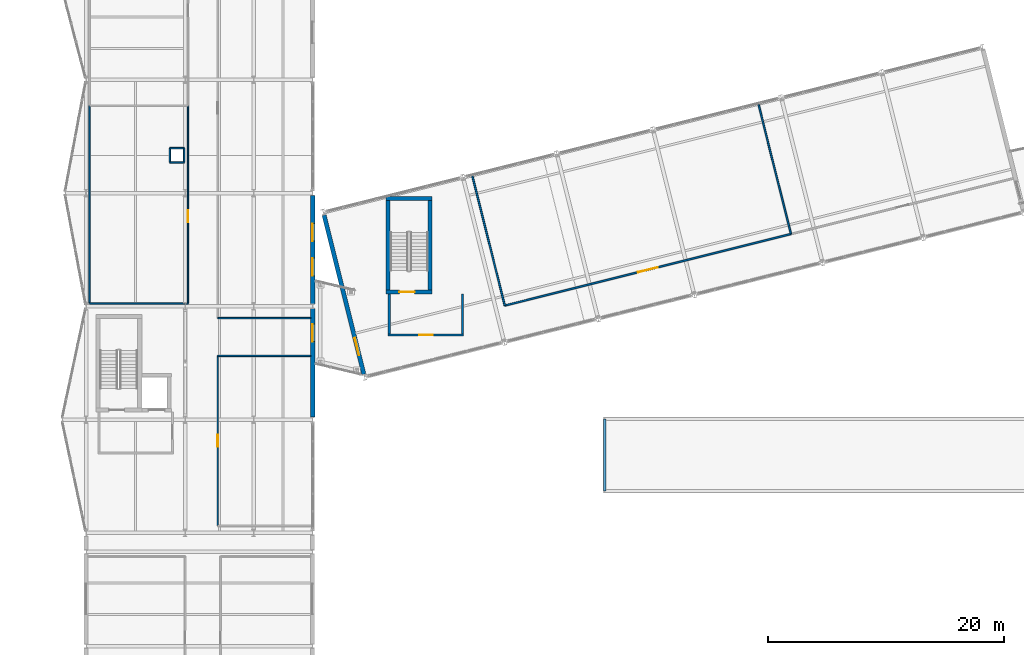
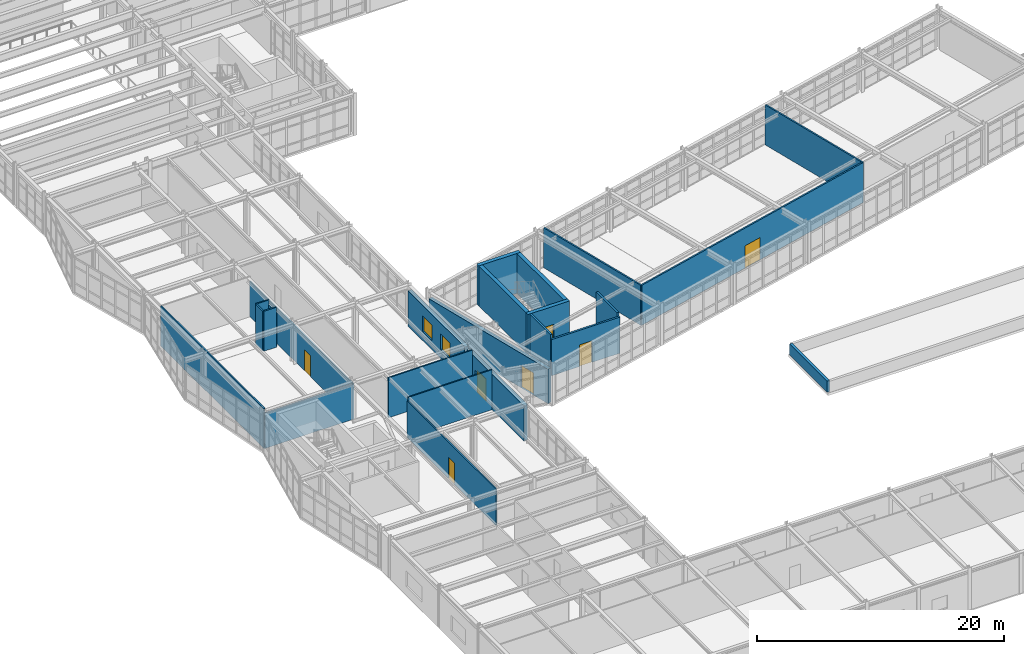
# One storey, part 80 of 99: 24 walls, 7 doors, 2 windows, 9 openings.
"""IFC4 building model written with IfcOpenShell, lengths in metres."""

from ifc_helpers import new_model, si_unit, direction, frame, frame_2d, origin, place, context, subcontext, project, spatial, rectangle, extrude, material, layer, layer_set, type_object, element, fill, save


model = new_model("IFC4")

# Units and contexts
model_context = context("Model", 3, precision=1e-05, world=origin(), true_north=direction((0.0, 1.0)))
body_context = subcontext(model_context, "Body", "Model", "MODEL_VIEW")
ifc_project = project(units=[si_unit("LENGTHUNIT", "METRE"), si_unit("AREAUNIT", "SQUARE_METRE"), si_unit("VOLUMEUNIT", "CUBIC_METRE"), si_unit("PLANEANGLEUNIT", "RADIAN"), si_unit("MASSUNIT", "GRAM", prefix="KILO")], contexts=[model_context])

# Site, building, storey
site_placement = place(None, origin())
site = spatial("IfcSite", under=ifc_project, at=site_placement, CompositionType="ELEMENT")
building_placement = place(site_placement, origin())
building = spatial("IfcBuilding", under=site, at=building_placement, Name="Nordkorset Police Headquarters", CompositionType="ELEMENT")
storey_placement = place(building_placement, frame((0.0, 0.0, 5.25)))
storey = spatial("IfcBuildingStorey", under=building, at=storey_placement, Name="L01", CompositionType="ELEMENT", Elevation=5.25)

# Wall, opening, door
ifc_material_1 = material(Name="Gypsum board", Category="gypsum")
ifc_layer_1 = layer(ifc_material_1, 0.139892578125, Name="Gypsum board")
ifc_layer_set_1 = layer_set([ifc_layer_1], Name="Gypsum board")
wall_type_1 = type_object("IfcWallType", Name="Wall_Acoust_140", PredefinedType="PARTITIONING", material=ifc_layer_set_1)
wall_1_placement = place(storey_placement, frame((35.484130859375, 48.0634765625, 0.0), z_axis=(0.0, 0.0, 1.0), x_axis=(0.970144223462, 0.242528731664, 0.0)))
wall_1 = element("IfcWall", 1, at=wall_1_placement, inside=storey, type_object=wall_type_1, Name="Interior Partition Wall Tactical Briefing Auditorium", PredefinedType="PARTITIONING", context=body_context, shape_type="SweptSolid", body=[
    extrude(rectangle(XDim=25.0, YDim=0.139892578125, at=frame_2d((12.5, 0.0))), origin(), (0.0, 0.0, 1.0), 3.9599609375),
])
opening_1_placement = place(wall_1_placement, frame((11.639892578125, 0.0, 0.0)))
opening_1 = element("IfcOpeningElement", 2, at=opening_1_placement, cuts=wall_1, Name="Opening DR-06", PredefinedType="OPENING", context=body_context, shape_type="SweptSolid", body=[
    extrude(rectangle(XDim=1.719970703125, YDim=2.199951171875, at=frame_2d((0.85986328125, 1.10009765625))), frame((0.0, 0.080078125, 0.0), z_axis=(0.0, -1.0, 0.0), x_axis=(1.0, 0.0, 0.0)), (0.0, 0.0, 1.0), 0.159912109375),
])
ifc_material_2 = material(Name="Glulam GL30c", Category="wood")
door_type_1 = type_object("IfcDoorType", Name="Door_AuditDouble_1720x2200", OperationType="DOUBLE_DOOR_SINGLE_SWING", PredefinedType="DOOR", material=ifc_material_2)
door_1_placement = place(opening_1_placement, origin())
door_1 = element("IfcDoor", 3, at=door_1_placement, inside=storey, type_object=door_type_1, Name="Interior Door Tactical Briefing Auditorium", OperationType="DOUBLE_DOOR_SINGLE_SWING", OverallHeight=2.199951171875, OverallWidth=1.719970703125, PredefinedType="DOOR", context=body_context, shape_type="SweptSolid", body=[
    extrude(rectangle(XDim=1.719970703125, YDim=2.199951171875, at=frame_2d((0.85986328125, 1.10009765625))), frame((0.0, 0.02490234375, 0.0), z_axis=(0.0, -1.0, 0.0), x_axis=(1.0, 0.0, 0.0)), (0.0, 0.0, 1.0), 0.050048828125),
])
fill(opening_1, door_1)

# Walls
wall_2_placement = place(storey_placement, frame((59.73779296875, 54.126708984375, 0.0), z_axis=(0.0, 0.0, 1.0), x_axis=(-0.242540701841, 0.97014123093, 0.0)))
element("IfcWall", 4, at=wall_2_placement, inside=storey, type_object=wall_type_1, Name="Interior Partition Wall Tactical Briefing Auditorium", PredefinedType="PARTITIONING", context=body_context, shape_type="SweptSolid", body=[
    extrude(rectangle(XDim=11.315185546875, YDim=0.139892578125, at=frame_2d((5.65771484375, 0.0))), origin(), (0.0, 0.0, 1.0), 3.9599609375),
])
wall_3_placement = place(storey_placement, frame((32.739990234375, 59.04052734375, 0.0), z_axis=(0.0, 0.0, 1.0), x_axis=(0.242525471141, -0.970145038563, 0.0)))
element("IfcWall", 5, at=wall_3_placement, inside=storey, type_object=wall_type_1, Name="Interior Partition Wall Tactical Briefing Auditorium", PredefinedType="PARTITIONING", context=body_context, shape_type="SweptSolid", body=[
    extrude(rectangle(XDim=11.31494140625, YDim=0.139892578125, at=frame_2d((5.657470703125, 0.0))), origin(), (0.0, 0.0, 1.0), 3.9599609375),
])

# Wall, opening, door
ifc_material_3 = material(Name="Gypsum board", Category="gypsum")
ifc_layer_2 = layer(ifc_material_3, 0.179931640625, Name="Gypsum board")
ifc_layer_set_2 = layer_set([ifc_layer_2], Name="Gypsum board")
wall_type_2 = type_object("IfcWallType", Name="Wall_Comp_180", PredefinedType="PARTITIONING", material=ifc_layer_set_2)
wall_4_placement = place(storey_placement, frame((25.60009765625, 45.56005859375, 0.0), z_axis=(0.0, 0.0, 1.0), x_axis=(1.0, 0.0, 0.0)))
wall_4 = element("IfcWall", 6, at=wall_4_placement, inside=storey, type_object=wall_type_2, Name="Firefighting Lobby EI 60 Wall K7 L01 S", PredefinedType="PARTITIONING", context=body_context, shape_type="SweptSolid", body=[
    extrude(rectangle(XDim=6.39990234375, YDim=0.179931640625, at=frame_2d((3.199951171875, 0.0))), origin(), (0.0, 0.0, 1.0), 3.580078125),
])
opening_2_placement = place(wall_4_placement, frame((2.625, 0.0, 0.0)))
opening_2 = element("IfcOpeningElement", 7, at=opening_2_placement, cuts=wall_4, Name="Opening DR-01", PredefinedType="OPENING", context=body_context, shape_type="SweptSolid", body=[
    extrude(rectangle(XDim=1.14990234375, YDim=2.14990234375, at=frame_2d((0.574951171875, 1.074951171875))), frame((0.0, 0.10009765625, 0.0), z_axis=(0.0, -1.0, 0.0), x_axis=(1.0, 0.0, 0.0)), (0.0, 0.0, 1.0), 0.199951171875),
])
ifc_material_4 = material(Name="Steel S355J2", Category="steel")
door_type_2 = type_object("IfcDoorType", Name="Door_LobbySingle_1150x2150", OperationType="NOTDEFINED", PredefinedType="DOOR", material=ifc_material_4)
door_2_placement = place(opening_2_placement, frame((1.14990234375, 0.0, 0.0), z_axis=(0.0, 0.0, 1.0), x_axis=(-1.0, 0.0, 0.0)))
door_2 = element("IfcDoor", 8, at=door_2_placement, inside=storey, type_object=door_type_2, Name="Firefighting Lobby Smoke Door K7 L01 S", OperationType="SINGLE_SWING_RIGHT", OverallHeight=2.14990234375, OverallWidth=1.14990234375, PredefinedType="DOOR", context=body_context, shape_type="SweptSolid", body=[
    extrude(rectangle(XDim=1.14990234375, YDim=2.14990234375, at=frame_2d((0.574951171875, 1.074951171875))), frame((0.0, 0.02490234375, 0.0), z_axis=(0.0, -1.0, 0.0), x_axis=(1.0, 0.0, 0.0)), (0.0, 0.0, 1.0), 0.050048828125),
])
fill(opening_2, door_2)

# Walls
for number, where, z_axis, x_axis, name in (
    (9, (25.68994140625, 45.64990234375, 0.0), (0.0, 0.0, 1.0), (0.0, 1.0, 0.0), "Firefighting Lobby EI 60 Wall K7 L01 W"),
    (10, (31.909912109375, 45.64990234375, 0.0), (0.0, 0.0, 1.0), (0.0, 1.0, 0.0), "Firefighting Lobby EI 60 Wall K7 L01 E"),
):
    element("IfcWall", number, at=place(storey_placement, frame(where, z_axis=z_axis, x_axis=x_axis)), inside=storey, type_object=wall_type_2, Name=name, PredefinedType="PARTITIONING", context=body_context, shape_type="SweptSolid", body=[
        extrude(rectangle(XDim=3.375, YDim=0.179931640625, at=frame_2d((1.6875, 0.0))), origin(), (0.0, 0.0, 1.0), 3.9599609375),
    ])

# Wall, opening, door
ifc_material_5 = material(Name="Concrete C35/45", Category="concrete")
ifc_layer_3 = layer(ifc_material_5, 0.35009765625, Name="Concrete C35/45")
ifc_layer_set_3 = layer_set([ifc_layer_3], Name="Concrete C35/45")
wall_type_3 = type_object("IfcWallType", Name="Wall_CoreShear_350", PredefinedType="SHEAR", material=ifc_layer_set_3)
wall_5_placement = place(storey_placement, frame((25.425048828125, 49.199951171875, 0.0), z_axis=(0.0, 0.0, 1.0), x_axis=(1.0, 0.0, 0.0)))
wall_5 = element("IfcWall", 11, at=wall_5_placement, inside=storey, type_object=wall_type_3, Name="Core K7 Stair Shaft South Shear Wall L01", PredefinedType="SHEAR", context=body_context, shape_type="SweptSolid", body=[
    extrude(rectangle(XDim=3.89990234375, YDim=0.35009765625, at=frame_2d((1.949951171875, 0.0))), origin(), (0.0, 0.0, 1.0), 3.9599609375),
])
opening_3_placement = place(wall_5_placement, frame((1.125, 0.0, 0.0)))
opening_3 = element("IfcOpeningElement", 12, at=opening_3_placement, cuts=wall_5, Name="Opening DR-20", PredefinedType="OPENING", context=body_context, shape_type="SweptSolid", body=[
    extrude(rectangle(XDim=1.300048828125, YDim=2.14990234375, at=frame_2d((0.64990234375, 1.074951171875))), frame((0.0, 0.18505859375, 0.0), z_axis=(0.0, -1.0, 0.0), x_axis=(1.0, 0.0, 0.0)), (0.0, 0.0, 1.0), 0.3701171875),
])
ifc_material_6 = material(Name="Steel S355J2", Category="steel")
door_type_3 = type_object("IfcDoorType", Name="Door_Stair_1300x2150", OperationType="NOTDEFINED", PredefinedType="DOOR", material=ifc_material_6)
door_3_placement = place(opening_3_placement, frame((1.300048828125, 0.0, 0.0), z_axis=(0.0, 0.0, 1.0), x_axis=(-1.0, 0.0, 0.0)))
door_3 = element("IfcDoor", 13, at=door_3_placement, inside=storey, type_object=door_type_3, Name="Protected Stair Fire Door ST-08 L01", OperationType="SINGLE_SWING_LEFT", OverallHeight=2.14990234375, OverallWidth=1.300048828125, PredefinedType="DOOR", context=body_context, shape_type="SweptSolid", body=[
    extrude(rectangle(XDim=1.300048828125, YDim=2.14990234375, at=frame_2d((0.64990234375, 1.074951171875))), frame((0.0, 0.02490234375, 0.0), z_axis=(0.0, -1.0, 0.0), x_axis=(1.0, 0.0, 0.0)), (0.0, 0.0, 1.0), 0.050048828125),
])
fill(opening_3, door_3)

# Walls
wall_6_placement = place(storey_placement, frame((25.425048828125, 57.14990234375, 0.0), z_axis=(0.0, 0.0, 1.0), x_axis=(1.0, 0.0, 0.0)))
element("IfcWall", 14, at=wall_6_placement, inside=storey, type_object=wall_type_3, Name="Core K7 Stair Shaft North Shear Wall L01", PredefinedType="SHEAR", context=body_context, shape_type="SweptSolid", body=[
    extrude(rectangle(XDim=3.89990234375, YDim=0.35009765625, at=frame_2d((1.949951171875, 0.0))), origin(), (0.0, 0.0, 1.0), 3.9599609375),
])
for number, where, z_axis, x_axis, name in (
    (15, (25.60009765625, 49.375, 0.0), (0.0, 0.0, 1.0), (0.0, 1.0, 0.0), "Core K7 Stair Shaft West Shear Wall L01"),
    (16, (29.14990234375, 49.375, 0.0), (0.0, 0.0, 1.0), (0.0, 1.0, 0.0), "Core K7 Stair Shaft East Shear Wall L01"),
):
    element("IfcWall", number, at=place(storey_placement, frame(where, z_axis=z_axis, x_axis=x_axis)), inside=storey, type_object=wall_type_3, Name=name, PredefinedType="SHEAR", context=body_context, shape_type="SweptSolid", body=[
        extrude(rectangle(XDim=7.60009765625, YDim=0.35009765625, at=frame_2d((3.800048828125, 0.0))), origin(), (0.0, 0.0, 1.0), 3.9599609375),
    ])

# Wall, opening, door
ifc_material_7 = material(Name="Precast concrete C40/50", Category="concrete")
ifc_layer_4 = layer(ifc_material_7, 0.360107421875, Name="Precast concrete C40/50")
ifc_layer_set_4 = layer_set([ifc_layer_4], Name="Precast concrete C40/50")
wall_type_4 = type_object("IfcWallType", Name="Wall_ExtPrecast_360", PredefinedType="SOLIDWALL", material=ifc_layer_set_4)
wall_7_placement = place(storey_placement, frame((19.199951171875, 38.60205078125, 0.0), z_axis=(0.0, 0.0, 1.0), x_axis=(0.0, 1.0, 0.0)))
wall_7 = element("IfcWall", 17, at=wall_7_placement, inside=storey, type_object=wall_type_4, Name="Exterior Insulated Precast Wall L01 V3E-1", PredefinedType="SOLIDWALL", context=body_context, shape_type="SweptSolid", body=[
    extrude(rectangle(XDim=9.196044921875, YDim=0.360107421875, at=frame_2d((4.59814453125, 0.0))), origin(), (0.0, 0.0, 1.0), 3.5),
])
opening_4_placement = place(wall_7_placement, frame((6.39794921875, 0.0, 0.0)))
opening_4 = element("IfcOpeningElement", 18, at=opening_4_placement, cuts=wall_7, Name="Opening EXD-03", PredefinedType="OPENING", context=body_context, shape_type="SweptSolid", body=[
    extrude(rectangle(XDim=1.5, YDim=2.199951171875, at=frame_2d((0.75, 1.10009765625))), frame((0.0, 0.18994140625, 0.0), z_axis=(0.0, -1.0, 0.0), x_axis=(1.0, 0.0, 0.0)), (0.0, 0.0, 1.0), 0.380126953125),
])
ifc_material_8 = material(Name="Aluminium alloy AW-6060", Category="aluminium")
door_type_4 = type_object("IfcDoorType", Name="ExtDoor_BridgePortal_1500x2200", OperationType="DOUBLE_DOOR_SINGLE_SWING", PredefinedType="DOOR", material=ifc_material_8)
door_4_placement = place(opening_4_placement, frame((1.5, 0.0, 0.0), z_axis=(0.0, 0.0, 1.0), x_axis=(-1.0, 0.0, 0.0)))
door_4 = element("IfcDoor", 19, at=door_4_placement, inside=storey, type_object=door_type_4, Name="West Link Bridge Portal Door V3 L01", OperationType="SINGLE_SWING_LEFT", OverallHeight=2.199951171875, OverallWidth=1.5, PredefinedType="DOOR", context=body_context, shape_type="SweptSolid", body=[
    extrude(rectangle(XDim=1.5, YDim=2.199951171875, at=frame_2d((0.75, 1.10009765625))), frame((0.0, 0.02490234375, 0.0), z_axis=(0.0, -1.0, 0.0), x_axis=(1.0, 0.0, 0.0)), (0.0, 0.0, 1.0), 0.050048828125),
])
fill(opening_4, door_4)

# Wall, openings, windows
wall_8_placement = place(storey_placement, frame((19.199951171875, 48.201904296875, 0.0), z_axis=(0.0, 0.0, 1.0), x_axis=(0.0, 1.0, 0.0)))
wall_8 = element("IfcWall", 20, at=wall_8_placement, inside=storey, type_object=wall_type_4, Name="Exterior Insulated Precast Wall L01 V3E-2", PredefinedType="SOLIDWALL", context=body_context, shape_type="SweptSolid", body=[
    extrude(rectangle(XDim=9.196044921875, YDim=0.360107421875, at=frame_2d((4.59814453125, 0.0))), origin(), (0.0, 0.0, 1.0), 3.5),
])
opening_5_placement = place(wall_8_placement, frame((2.38134765625, 0.0, 0.89990234375)))
opening_5 = element("IfcOpeningElement", 21, at=opening_5_placement, cuts=wall_8, Name="Opening WN-50", PredefinedType="OPENING", context=body_context, shape_type="SweptSolid", body=[
    extrude(rectangle(XDim=1.5, YDim=1.550048828125, at=frame_2d((0.75, 0.77490234375))), frame((0.0, 0.18994140625, 0.0), z_axis=(0.0, -1.0, 0.0), x_axis=(1.0, 0.0, 0.0)), (0.0, 0.0, 1.0), 0.380126953125),
])
opening_6_placement = place(wall_8_placement, frame((5.314697265625, 0.0, 0.89990234375)))
opening_6 = element("IfcOpeningElement", 22, at=opening_6_placement, cuts=wall_8, Name="Opening WN-50", PredefinedType="OPENING", context=body_context, shape_type="SweptSolid", body=[
    extrude(rectangle(XDim=1.5, YDim=1.550048828125, at=frame_2d((0.75, 0.77490234375))), frame((0.0, 0.18994140625, 0.0), z_axis=(0.0, -1.0, 0.0), x_axis=(1.0, 0.0, 0.0)), (0.0, 0.0, 1.0), 0.380126953125),
])
ifc_material_9 = material(Name="Low-iron triple glazing", Category="glass")
window_type = type_object("IfcWindowType", Name="Win_1500x1550", PartitioningType="SINGLE_PANEL", PredefinedType="WINDOW", material=ifc_material_9)
window_1_placement = place(opening_5_placement, origin())
window_1 = element("IfcWindow", 23, at=window_1_placement, inside=storey, type_object=window_type, Name="Triple-Glazed Exterior Window L01 V3E-2-1", OverallHeight=1.550048828125, OverallWidth=1.5, PartitioningType="SINGLE_PANEL", PredefinedType="WINDOW", context=body_context, shape_type="SweptSolid", body=[
    extrude(rectangle(XDim=1.5, YDim=1.550048828125, at=frame_2d((0.75, 0.77490234375))), frame((0.0, 0.030029296875, 0.0), z_axis=(0.0, -1.0, 0.0), x_axis=(1.0, 0.0, 0.0)), (0.0, 0.0, 1.0), 0.06005859375),
])
fill(opening_5, window_1)
window_2_placement = place(opening_6_placement, origin())
window_2 = element("IfcWindow", 24, at=window_2_placement, inside=storey, type_object=window_type, Name="Triple-Glazed Exterior Window L01 V3E-2-2", OverallHeight=1.550048828125, OverallWidth=1.5, PartitioningType="SINGLE_PANEL", PredefinedType="WINDOW", context=body_context, shape_type="SweptSolid", body=[
    extrude(rectangle(XDim=1.5, YDim=1.550048828125, at=frame_2d((0.75, 0.77490234375))), frame((0.0, 0.030029296875, 0.0), z_axis=(0.0, -1.0, 0.0), x_axis=(1.0, 0.0, 0.0)), (0.0, 0.0, 1.0), 0.06005859375),
])
fill(opening_6, window_2)

# Wall, opening, door
wall_9_placement = place(storey_placement, frame((23.538818359375, 42.244384765625, 0.0), z_axis=(0.0, 0.0, 1.0), x_axis=(-0.242523223331, 0.970145600487, 0.0)))
wall_9 = element("IfcWall", 25, at=wall_9_placement, inside=storey, type_object=wall_type_4, Name="Exterior Insulated Precast Wall L01 V4W-0", PredefinedType="SOLIDWALL", context=body_context, shape_type="SweptSolid", body=[
    extrude(rectangle(XDim=13.89599609375, YDim=0.360107421875, at=frame_2d((6.947998046875, 0.0))), origin(), (0.0, 0.0, 1.0), 3.39990234375),
])
opening_7_placement = place(wall_9_placement, frame((1.66796875, 0.0, 0.0)))
opening_7 = element("IfcOpeningElement", 26, at=opening_7_placement, cuts=wall_9, Name="Opening EXD-03", PredefinedType="OPENING", context=body_context, shape_type="SweptSolid", body=[
    extrude(rectangle(XDim=1.5, YDim=2.199951171875, at=frame_2d((0.75, 1.10009765625))), frame((0.0, 0.18994140625, 0.0), z_axis=(0.0, -1.0, 0.0), x_axis=(1.0, 0.0, 0.0)), (0.0, 0.0, 1.0), 0.380126953125),
])
door_5_placement = place(opening_7_placement, origin())
door_5 = element("IfcDoor", 27, at=door_5_placement, inside=storey, type_object=door_type_4, Name="West Link Bridge Portal Door V4 L01", OperationType="SINGLE_SWING_LEFT", OverallHeight=2.199951171875, OverallWidth=1.5, PredefinedType="DOOR", context=body_context, shape_type="SweptSolid", body=[
    extrude(rectangle(XDim=1.5, YDim=2.199951171875, at=frame_2d((0.75, 1.10009765625))), frame((0.0, 0.02490234375, 0.0), z_axis=(0.0, -1.0, 0.0), x_axis=(1.0, 0.0, 0.0)), (0.0, 0.0, 1.0), 0.050048828125),
])
fill(opening_7, door_5)

# Walls
ifc_material_10 = material(Name="Precast concrete C40/50", Category="concrete")
ifc_layer_5 = layer(ifc_material_10, 0.239990234375, Name="Precast concrete C40/50")
ifc_layer_set_5 = layer_set([ifc_layer_5], Name="Precast concrete C40/50")
wall_type_5 = type_object("IfcWallType", Name="Wall_Parapet_240", PredefinedType="PARAPET", material=ifc_layer_set_5)
wall_10_placement = place(storey_placement, frame((43.949951171875, 38.449951171875, -0.06494140625), z_axis=(0.0, 0.0, 1.0), x_axis=(0.0, -1.0, 0.0)))
element("IfcWall", 28, at=wall_10_placement, inside=storey, type_object=wall_type_5, Name="Flat Roof Parapet Wall RAMPHOOD-L01-4", PredefinedType="PARAPET", context=body_context, shape_type="SweptSolid", body=[
    extrude(rectangle(XDim=6.099853515625, YDim=0.239990234375, at=frame_2d((3.0498046875, 0.0))), origin(), (0.0, 0.0, 1.0), 1.099853515625),
])
ifc_material_11 = material(Name="Gypsum board", Category="gypsum")
ifc_layer_6 = layer(ifc_material_11, 0.1201171875, Name="Gypsum board")
ifc_layer_set_6 = layer_set([ifc_layer_6], Name="Gypsum board")
wall_type_6 = type_object("IfcWallType", Name="Wall_Part_120", PredefinedType="PARTITIONING", material=ifc_layer_set_6)
wall_11_placement = place(storey_placement, frame((0.300048828125, 48.25, 0.0), z_axis=(0.0, 0.0, 1.0), x_axis=(1.0, 0.0, 0.0)))
element("IfcWall", 29, at=wall_11_placement, inside=storey, type_object=wall_type_6, Name="Interior Partition Wall Trace Evidence Laboratory", PredefinedType="PARTITIONING", context=body_context, shape_type="SweptSolid", body=[
    extrude(rectangle(XDim=8.33984375, YDim=0.1201171875, at=frame_2d((4.169921875, 0.0))), origin(), (0.0, 0.0, 1.0), 3.5),
])

# Wall, opening, door
wall_12_placement = place(storey_placement, frame((8.639892578125, 48.25, 0.0), z_axis=(0.0, 0.0, 1.0), x_axis=(0.0, 1.0, 0.0)))
wall_12 = element("IfcWall", 30, at=wall_12_placement, inside=storey, type_object=wall_type_6, Name="Interior Partition Wall Trace Evidence Laboratory", PredefinedType="PARTITIONING", context=body_context, shape_type="SweptSolid", body=[
    extrude(rectangle(XDim=16.75, YDim=0.1201171875, at=frame_2d((8.375, 0.0))), origin(), (0.0, 0.0, 1.0), 3.5),
])
opening_8_placement = place(wall_12_placement, frame((6.864990234375, 0.0, 0.0)))
opening_8 = element("IfcOpeningElement", 31, at=opening_8_placement, cuts=wall_12, Name="Opening DR-19", PredefinedType="OPENING", context=body_context, shape_type="SweptSolid", body=[
    extrude(rectangle(XDim=1.02001953125, YDim=2.10009765625, at=frame_2d((0.510009765625, 1.050048828125))), frame((0.0, 0.070068359375, 0.0), z_axis=(0.0, -1.0, 0.0), x_axis=(1.0, 0.0, 0.0)), (0.0, 0.0, 1.0), 0.14013671875),
])
ifc_material_12 = material(Name="Glulam GL30c", Category="wood")
door_type_5 = type_object("IfcDoorType", Name="Door_Office_1020x2100", OperationType="NOTDEFINED", PredefinedType="DOOR", material=ifc_material_12)
door_6_placement = place(opening_8_placement, origin())
door_6 = element("IfcDoor", 32, at=door_6_placement, inside=storey, type_object=door_type_5, Name="Interior Door Trace Evidence Laboratory", OperationType="SINGLE_SWING_RIGHT", OverallHeight=2.10009765625, OverallWidth=1.02001953125, PredefinedType="DOOR", context=body_context, shape_type="SweptSolid", body=[
    extrude(rectangle(XDim=1.02001953125, YDim=2.10009765625, at=frame_2d((0.510009765625, 1.050048828125))), frame((0.0, 0.02490234375, 0.0), z_axis=(0.0, -1.0, 0.0), x_axis=(1.0, 0.0, 0.0)), (0.0, 0.0, 1.0), 0.050048828125),
])
fill(opening_8, door_6)

# Walls
wall_13_placement = place(storey_placement, frame((0.300048828125, 65.0, 0.0), z_axis=(0.0, 0.0, 1.0), x_axis=(0.0, -1.0, 0.0)))
element("IfcWall", 33, at=wall_13_placement, inside=storey, type_object=wall_type_6, Name="Interior Partition Wall Trace Evidence Laboratory", PredefinedType="PARTITIONING", context=body_context, shape_type="SweptSolid", body=[
    extrude(rectangle(XDim=16.75, YDim=0.1201171875, at=frame_2d((8.375, 0.0))), origin(), (0.0, 0.0, 1.0), 3.9599609375),
])
wall_14_placement = place(storey_placement, frame((19.02490234375, 43.800048828125, 0.0), z_axis=(0.0, 0.0, 1.0), x_axis=(-1.0, 0.0, 0.0)))
element("IfcWall", 34, at=wall_14_placement, inside=storey, type_object=wall_type_6, Name="Interior Partition Wall Forensic Optical Examination Studio", PredefinedType="PARTITIONING", context=body_context, shape_type="SweptSolid", body=[
    extrude(rectangle(XDim=7.864990234375, YDim=0.1201171875, at=frame_2d((3.9326171875, 0.0))), origin(), (0.0, 0.0, 1.0), 3.9599609375),
])

# Wall, opening, door
wall_15_placement = place(storey_placement, frame((11.159912109375, 43.800048828125, 0.0), z_axis=(0.0, 0.0, 1.0), x_axis=(0.0, -1.0, 0.0)))
wall_15 = element("IfcWall", 35, at=wall_15_placement, inside=storey, type_object=wall_type_6, Name="Interior Partition Wall Forensic Optical Examination Studio", PredefinedType="PARTITIONING", context=body_context, shape_type="SweptSolid", body=[
    extrude(rectangle(XDim=14.400146484375, YDim=0.1201171875, at=frame_2d((7.2001953125, 0.0))), origin(), (0.0, 0.0, 1.0), 3.580078125),
])
opening_9_placement = place(wall_15_placement, frame((6.68994140625, 0.0, 0.0)))
opening_9 = element("IfcOpeningElement", 36, at=opening_9_placement, cuts=wall_15, Name="Opening DR-19", PredefinedType="OPENING", context=body_context, shape_type="SweptSolid", body=[
    extrude(rectangle(XDim=1.02001953125, YDim=2.10009765625, at=frame_2d((0.510009765625, 1.050048828125))), frame((0.0, 0.070068359375, 0.0), z_axis=(0.0, -1.0, 0.0), x_axis=(1.0, 0.0, 0.0)), (0.0, 0.0, 1.0), 0.14013671875),
])
door_7_placement = place(opening_9_placement, origin())
door_7 = element("IfcDoor", 37, at=door_7_placement, inside=storey, type_object=door_type_5, Name="Interior Door Forensic Optical Examination Studio", OperationType="SINGLE_SWING_RIGHT", OverallHeight=2.10009765625, OverallWidth=1.02001953125, PredefinedType="DOOR", context=body_context, shape_type="SweptSolid", body=[
    extrude(rectangle(XDim=1.02001953125, YDim=2.10009765625, at=frame_2d((0.510009765625, 1.050048828125))), frame((0.0, 0.02490234375, 0.0), z_axis=(0.0, -1.0, 0.0), x_axis=(1.0, 0.0, 0.0)), (0.0, 0.0, 1.0), 0.050048828125),
])
fill(opening_9, door_7)

# Walls
wall_16_placement = place(storey_placement, frame((11.159912109375, 47.0, 0.0), z_axis=(0.0, 0.0, 1.0), x_axis=(1.0, 0.0, 0.0)))
element("IfcWall", 38, at=wall_16_placement, inside=storey, type_object=wall_type_6, Name="Interior Partition Wall Forensic Imaging and Photogrammetry Studio", PredefinedType="PARTITIONING", context=body_context, shape_type="SweptSolid", body=[
    extrude(rectangle(XDim=7.864990234375, YDim=0.1201171875, at=frame_2d((3.9326171875, 0.0))), origin(), (0.0, 0.0, 1.0), 3.9599609375),
])
ifc_material_13 = material(Name="Gypsum board", Category="gypsum")
ifc_layer_7 = layer(ifc_material_13, 0.125, Name="Gypsum board")
ifc_layer_set_7 = layer_set([ifc_layer_7], Name="Gypsum board")
wall_type_7 = type_object("IfcWallType", Name="Wall_Riser_125", PredefinedType="PARTITIONING", material=ifc_layer_set_7)
wall_17_placement = place(storey_placement, frame((7.10009765625, 60.199951171875, 0.0), z_axis=(0.0, 0.0, 1.0), x_axis=(1.0, 0.0, 0.0)))
element("IfcWall", 39, at=wall_17_placement, inside=storey, type_object=wall_type_7, Name="Service Riser Enclosure RSR-V3 L01", PredefinedType="PARTITIONING", context=body_context, shape_type="SweptSolid", body=[
    extrude(rectangle(XDim=1.199951171875, YDim=0.125, at=frame_2d((0.60009765625, 0.0))), origin(), (0.0, 0.0, 1.0), 3.9599609375),
])
wall_18_placement = place(storey_placement, frame((8.300048828125, 60.199951171875, 0.0), z_axis=(0.0, 0.0, 1.0), x_axis=(0.0, 1.0, 0.0)))
element("IfcWall", 40, at=wall_18_placement, inside=storey, type_object=wall_type_7, Name="Service Riser Enclosure RSR-V3 L01", PredefinedType="PARTITIONING", context=body_context, shape_type="SweptSolid", body=[
    extrude(rectangle(XDim=1.199951171875, YDim=0.125, at=frame_2d((0.60009765625, 0.0))), origin(), (0.0, 0.0, 1.0), 3.5),
])
for number, where, z_axis, x_axis, name in (
    (41, (8.300048828125, 61.39990234375, 0.0), (0.0, 0.0, 1.0), (-1.0, 0.0, 0.0), "Service Riser Enclosure RSR-V3 L01"),
    (42, (7.10009765625, 61.39990234375, 0.0), (0.0, 0.0, 1.0), (0.0, -1.0, 0.0), "Service Riser Enclosure RSR-V3 L01"),
):
    element("IfcWall", number, at=place(storey_placement, frame(where, z_axis=z_axis, x_axis=x_axis)), inside=storey, type_object=wall_type_7, Name=name, PredefinedType="PARTITIONING", context=body_context, shape_type="SweptSolid", body=[
        extrude(rectangle(XDim=1.199951171875, YDim=0.125, at=frame_2d((0.60009765625, 0.0))), origin(), (0.0, 0.0, 1.0), 3.9599609375),
    ])

save(model, "model.ifc")
